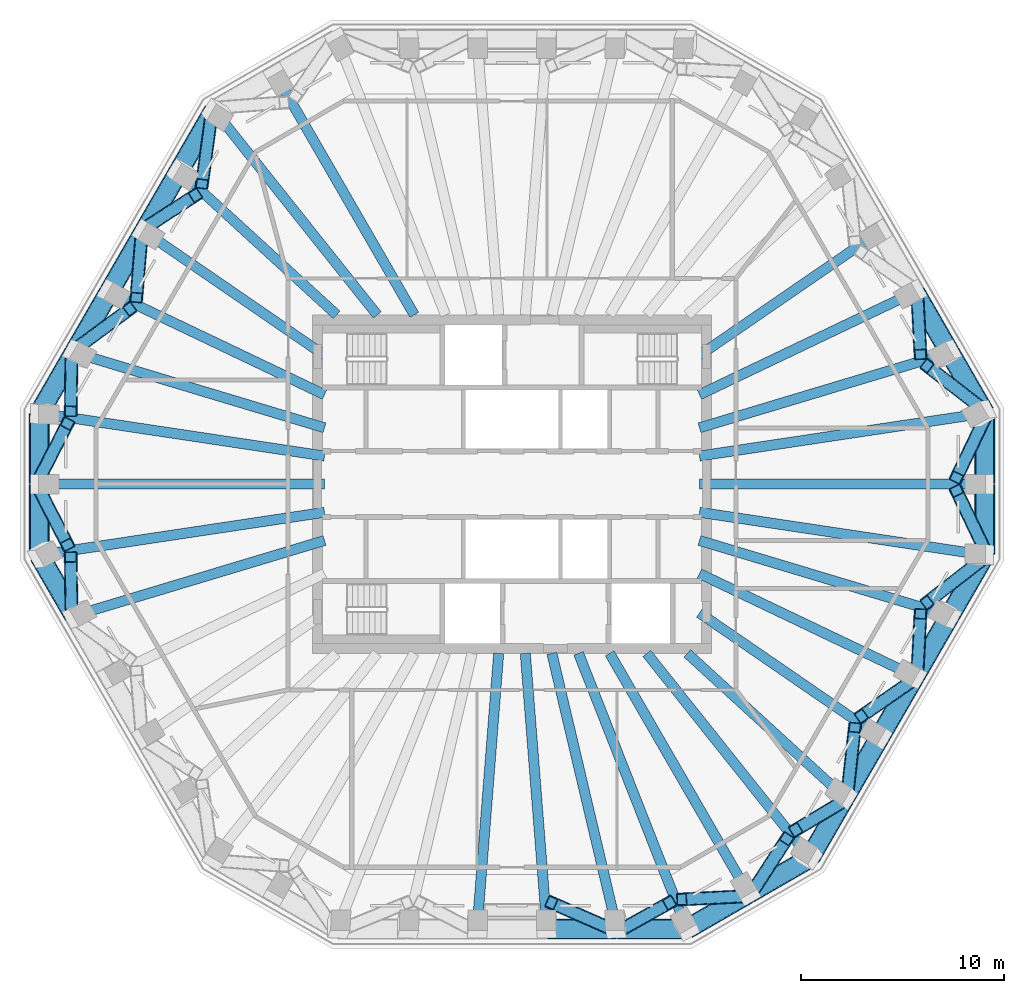
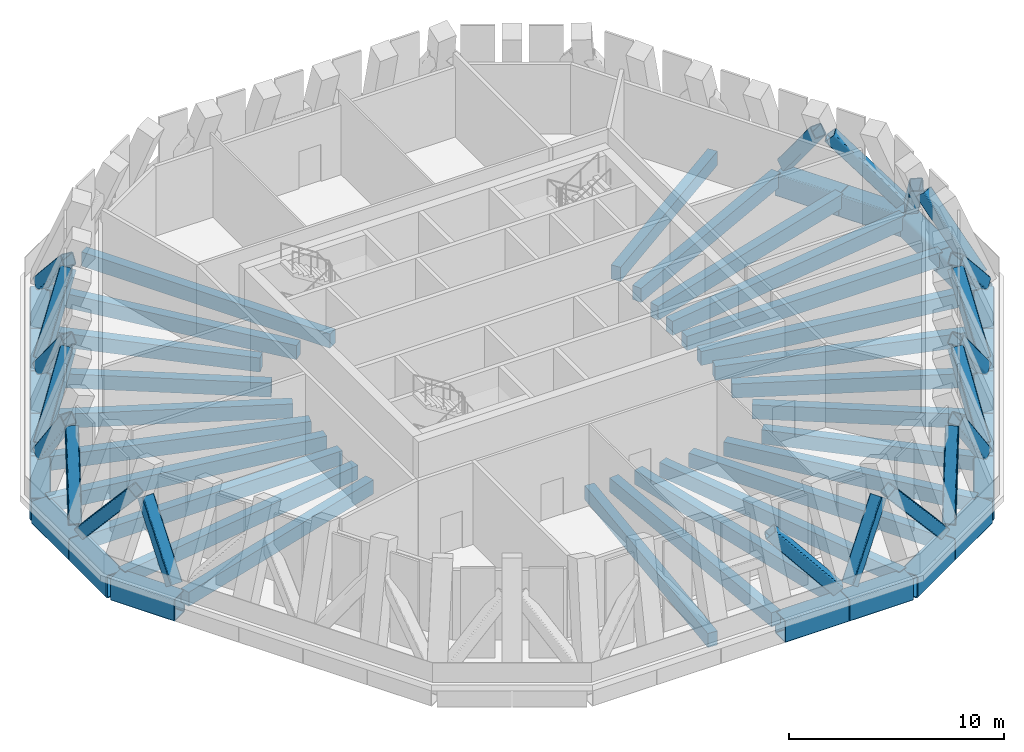
# One storey, part 2 of 9: 47 beams, 21 members.
"""IFC4 building model written with IfcOpenShell, lengths in metres."""

from ifc_helpers import new_model, si_unit, direction, frame, origin, origin_2d, place, context, subcontext, project, spatial, rectangle, hollow_rectangle, extrude, material, material_profile, profile_set, type_object, element, save


model = new_model("IFC4")

# Units and contexts
model_context = context("Model", 3, precision=1e-05, world=origin(), true_north=direction((0.0, 1.0)))
body_context = subcontext(model_context, "Body", "Model", "MODEL_VIEW")
ifc_project = project(units=[si_unit("LENGTHUNIT", "METRE"), si_unit("AREAUNIT", "SQUARE_METRE"), si_unit("VOLUMEUNIT", "CUBIC_METRE"), si_unit("PLANEANGLEUNIT", "RADIAN"), si_unit("MASSUNIT", "GRAM", prefix="KILO")], contexts=[model_context])

# Site, building, storey
site_placement = place(None, origin())
site = spatial("IfcSite", under=ifc_project, at=site_placement, CompositionType="ELEMENT")
building_placement = place(site_placement, origin())
building = spatial("IfcBuilding", under=site, at=building_placement, Name="Frailejon Research Tower", CompositionType="ELEMENT")
storey_placement = place(building_placement, frame((0.0, 0.0, 303.0)))
storey = spatial("IfcBuildingStorey", under=building, at=storey_placement, Name="L67", CompositionType="ELEMENT", Elevation=303.0)

# Beams
ifc_material_1 = material(Name="Steel S355", Category="steel")
ifc_material_profile_1 = material_profile(ifc_material_1, hollow_rectangle(XDim=1.0, YDim=1.300048828125, WallThickness=0.06005859375, InnerFilletRadius=0.06005859375, OuterFilletRadius=0.1201171875, at=origin_2d()), Name="Belt chord")
ifc_profile_set_1 = profile_set([ifc_material_profile_1], Name="Steel S355")
beam_type_1 = type_object("IfcBeamType", Name="Belt chord", PredefinedType="BEAM", material=ifc_profile_set_1)
for number, where, z_axis, x_axis, name in (
    (1, (23.32373046875, -3.48193359375, -1.0), (0.0, 1.0, 0.0), (-1.0, 0.0, 0.0), "Belt chord"),
    (2, (23.32373046875, 0.02001953125, -1.0), (0.0, 1.0, 0.0), (-1.0, 0.0, 0.0), "Belt chord"),
):
    element("IfcBeam", number, at=place(storey_placement, frame(where, z_axis=z_axis, x_axis=x_axis)), inside=storey, type_object=beam_type_1, Name=name, PredefinedType="BEAM", context=body_context, shape_type="SweptSolid", body=[
        extrude(hollow_rectangle(XDim=1.0, YDim=1.300048828125, WallThickness=0.06005859375, InnerFilletRadius=0.06005859375, OuterFilletRadius=0.1201171875, at=origin_2d()), origin(), (0.0, 0.0, 1.0), 3.4619140625),
    ])
for number, where, z_axis, x_axis, name in (
    (3, (23.313720703125, 3.519287109375, -1.0), (-0.499995010897, 0.866028284225, 0.0), (-0.866028284225, -0.499995010897, 0.0), "Belt chord"),
    (4, (21.587890625, 6.508544921875, -1.0), (-0.499995010897, 0.866028284225, 0.0), (-0.866028284225, -0.499995010897, 0.0), "Belt chord"),
    (5, (-14.70458984375, 18.4306640625, -1.0), (-0.499995010897, -0.866028284225, 0.0), (0.866028284225, -0.499995010897, 0.0), "Belt chord"),
    (6, (-16.430419921875, 15.44140625, -1.0), (-0.499995010897, -0.866028284225, 0.0), (0.866028284225, -0.499995010897, 0.0), "Belt chord"),
):
    element("IfcBeam", number, at=place(storey_placement, frame(where, z_axis=z_axis, x_axis=x_axis)), inside=storey, type_object=beam_type_1, Name=name, PredefinedType="BEAM", context=body_context, shape_type="SweptSolid", body=[
        extrude(hollow_rectangle(XDim=1.0, YDim=1.300048828125, WallThickness=0.06005859375, InnerFilletRadius=0.06005859375, OuterFilletRadius=0.1201171875, at=origin_2d()), origin(), (0.0, 0.0, 1.0), 3.41162109375),
    ])
beam_1_placement = place(storey_placement, frame((-18.15625, 12.452392578125, -1.0), z_axis=(-0.500048678942, -0.86599729716, 0.0), x_axis=(0.86599729716, -0.500048678942, 0.0)))
element("IfcBeam", 7, at=beam_1_placement, inside=storey, type_object=beam_type_1, Name="Belt chord", PredefinedType="BEAM", context=body_context, shape_type="SweptSolid", body=[
    extrude(hollow_rectangle(XDim=1.0, YDim=1.300048828125, WallThickness=0.06005859375, InnerFilletRadius=0.06005859375, OuterFilletRadius=0.1201171875, at=origin_2d()), origin(), (0.0, 0.0, 1.0), 3.411865234375),
])
for number, where, z_axis, x_axis, name in (
    (8, (-19.882080078125, 9.463134765625, -1.0), (-0.499995010897, -0.866028284225, 0.0), (0.866028284225, -0.499995010897, 0.0), "Belt chord"),
    (9, (-21.60791015625, 6.473876953125, -1.0), (-0.499995010897, -0.866028284225, 0.0), (0.866028284225, -0.499995010897, 0.0), "Belt chord"),
):
    element("IfcBeam", number, at=place(storey_placement, frame(where, z_axis=z_axis, x_axis=x_axis)), inside=storey, type_object=beam_type_1, Name=name, PredefinedType="BEAM", context=body_context, shape_type="SweptSolid", body=[
        extrude(hollow_rectangle(XDim=1.0, YDim=1.300048828125, WallThickness=0.06005859375, InnerFilletRadius=0.06005859375, OuterFilletRadius=0.1201171875, at=origin_2d()), origin(), (0.0, 0.0, 1.0), 3.41162109375),
    ])
for number, where, z_axis, x_axis, name in (
    (10, (-23.32373046875, 3.48193359375, -1.0), (0.0, -1.0, 0.0), (1.0, 0.0, 0.0), "Belt chord"),
    (11, (-23.32373046875, -0.02001953125, -1.0), (0.0, -1.0, 0.0), (1.0, 0.0, 0.0), "Belt chord"),
):
    element("IfcBeam", number, at=place(storey_placement, frame(where, z_axis=z_axis, x_axis=x_axis)), inside=storey, type_object=beam_type_1, Name=name, PredefinedType="BEAM", context=body_context, shape_type="SweptSolid", body=[
        extrude(hollow_rectangle(XDim=1.0, YDim=1.300048828125, WallThickness=0.06005859375, InnerFilletRadius=0.06005859375, OuterFilletRadius=0.1201171875, at=origin_2d()), origin(), (0.0, 0.0, 1.0), 3.4619140625),
    ])
for number, where, z_axis, x_axis, name in (
    (12, (-23.313720703125, -3.519287109375, -1.0), (0.499995010897, -0.866028284225, 0.0), (0.866028284225, 0.499995010897, 0.0), "Belt chord"),
    (13, (1.745849609375, -21.949951171875, -1.0), (1.0, 0.0, 0.0), (0.0, 1.0, 0.0), "Belt chord"),
    (14, (5.197509765625, -21.949951171875, -1.0), (1.0, 0.0, 0.0), (0.0, 1.0, 0.0), "Belt chord"),
):
    element("IfcBeam", number, at=place(storey_placement, frame(where, z_axis=z_axis, x_axis=x_axis)), inside=storey, type_object=beam_type_1, Name=name, PredefinedType="BEAM", context=body_context, shape_type="SweptSolid", body=[
        extrude(hollow_rectangle(XDim=1.0, YDim=1.300048828125, WallThickness=0.06005859375, InnerFilletRadius=0.06005859375, OuterFilletRadius=0.1201171875, at=origin_2d()), origin(), (0.0, 0.0, 1.0), 3.41162109375),
    ])
beam_2_placement = place(storey_placement, frame((8.646484375, -21.93994140625, -1.0), z_axis=(0.866021168401, 0.500007335828, 0.0), x_axis=(-0.500007335828, 0.866021168401, 0.0)))
element("IfcBeam", 15, at=beam_2_placement, inside=storey, type_object=beam_type_1, Name="Belt chord", PredefinedType="BEAM", context=body_context, shape_type="SweptSolid", body=[
    extrude(hollow_rectangle(XDim=1.0, YDim=1.300048828125, WallThickness=0.06005859375, InnerFilletRadius=0.06005859375, OuterFilletRadius=0.1201171875, at=origin_2d()), origin(), (0.0, 0.0, 1.0), 3.4619140625),
])
beam_3_placement = place(storey_placement, frame((11.67919921875, -20.18896484375, -1.0), z_axis=(0.866038798027, 0.499976799773, 0.0), x_axis=(-0.499976799773, 0.866038798027, 0.0)))
element("IfcBeam", 16, at=beam_3_placement, inside=storey, type_object=beam_type_1, Name="Belt chord", PredefinedType="BEAM", context=body_context, shape_type="SweptSolid", body=[
    extrude(hollow_rectangle(XDim=1.0, YDim=1.300048828125, WallThickness=0.06005859375, InnerFilletRadius=0.06005859375, OuterFilletRadius=0.1201171875, at=origin_2d()), origin(), (0.0, 0.0, 1.0), 3.462158203125),
])
for number, where, z_axis, x_axis, name in (
    (17, (14.70458984375, -18.4306640625, -1.0), (0.499995010897, 0.866028284225, 0.0), (-0.866028284225, 0.499995010897, 0.0), "Belt chord"),
    (18, (16.430419921875, -15.44140625, -1.0), (0.499995010897, 0.866028284225, 0.0), (-0.866028284225, 0.499995010897, 0.0), "Belt chord"),
):
    element("IfcBeam", number, at=place(storey_placement, frame(where, z_axis=z_axis, x_axis=x_axis)), inside=storey, type_object=beam_type_1, Name=name, PredefinedType="BEAM", context=body_context, shape_type="SweptSolid", body=[
        extrude(hollow_rectangle(XDim=1.0, YDim=1.300048828125, WallThickness=0.06005859375, InnerFilletRadius=0.06005859375, OuterFilletRadius=0.1201171875, at=origin_2d()), origin(), (0.0, 0.0, 1.0), 3.41162109375),
    ])
beam_4_placement = place(storey_placement, frame((18.15625, -12.452392578125, -1.0), z_axis=(0.500048678942, 0.86599729716, 0.0), x_axis=(-0.86599729716, 0.500048678942, 0.0)))
element("IfcBeam", 19, at=beam_4_placement, inside=storey, type_object=beam_type_1, Name="Belt chord", PredefinedType="BEAM", context=body_context, shape_type="SweptSolid", body=[
    extrude(hollow_rectangle(XDim=1.0, YDim=1.300048828125, WallThickness=0.06005859375, InnerFilletRadius=0.06005859375, OuterFilletRadius=0.1201171875, at=origin_2d()), origin(), (0.0, 0.0, 1.0), 3.411865234375),
])
for number, where, z_axis, x_axis, name in (
    (20, (19.882080078125, -9.463134765625, -1.0), (0.499995010897, 0.866028284225, 0.0), (-0.866028284225, 0.499995010897, 0.0), "Belt chord"),
    (21, (21.60791015625, -6.473876953125, -1.0), (0.499995010897, 0.866028284225, 0.0), (-0.866028284225, 0.499995010897, 0.0), "Belt chord"),
):
    element("IfcBeam", number, at=place(storey_placement, frame(where, z_axis=z_axis, x_axis=x_axis)), inside=storey, type_object=beam_type_1, Name=name, PredefinedType="BEAM", context=body_context, shape_type="SweptSolid", body=[
        extrude(hollow_rectangle(XDim=1.0, YDim=1.300048828125, WallThickness=0.06005859375, InnerFilletRadius=0.06005859375, OuterFilletRadius=0.1201171875, at=origin_2d()), origin(), (0.0, 0.0, 1.0), 3.41162109375),
    ])

# Members
ifc_material_2 = material(Name="Steel S355", Category="steel")
ifc_material_profile_2 = material_profile(ifc_material_2, hollow_rectangle(XDim=0.64990234375, YDim=0.64990234375, WallThickness=0.044921875, InnerFilletRadius=0.044921875, OuterFilletRadius=0.090087890625, at=origin_2d()), Name="Belt diagonal 5600")
ifc_profile_set_2 = profile_set([ifc_material_profile_2], Name="Steel S355")
member_type = type_object("IfcMemberType", Name="Belt diagonal 5600", PredefinedType="BRACE", material=ifc_profile_set_2)
for number, where, z_axis, x_axis, name in (
    (22, (23.294677734375, -3.173095703125, 0.07421875), (-0.290366904564, 0.606195473987, 0.740414821605), (-0.901875017805, -0.431997051217, 0.0), "Belt truss diagonal"),
    (23, (21.930419921875, 0.324951171875, 3.552978515625), (0.290366904564, 0.606195473987, -0.740414821605), (-0.901875017805, 0.431997051217, 0.0), "Belt truss diagonal"),
):
    element("IfcMember", number, at=place(storey_placement, frame(where, z_axis=z_axis, x_axis=x_axis)), inside=storey, type_object=member_type, Name=name, PredefinedType="BRACE", context=body_context, shape_type="SweptSolid", body=[
        extrude(hollow_rectangle(XDim=0.64990234375, YDim=0.64990234375, WallThickness=0.044921875, InnerFilletRadius=0.044921875, OuterFilletRadius=0.090087890625, at=origin_2d()), origin(), (0.0, 0.0, 1.0), 4.698486328125),
    ])
member_1_placement = place(storey_placement, frame((23.1279296875, 3.779052734375, 0.084716796875), z_axis=(-0.549877396512, 0.426771272208, 0.717984073656), x_axis=(-0.613124673275, -0.789986161285, 0.0)))
element("IfcMember", 24, at=member_1_placement, inside=storey, type_object=member_type, Name="Belt truss diagonal", PredefinedType="BRACE", context=body_context, shape_type="SweptSolid", body=[
    extrude(hollow_rectangle(XDim=0.64990234375, YDim=0.64990234375, WallThickness=0.044921875, InnerFilletRadius=0.044921875, OuterFilletRadius=0.090087890625, at=origin_2d()), origin(), (0.0, 0.0, 1.0), 4.822998046875),
])
member_2_placement = place(storey_placement, frame((20.15087890625, 6.400390625, 3.547607421875), z_axis=(-0.032451098982, 0.626399555309, -0.77882637557), x_axis=(-0.998660777204, -0.051736370909, 0.0)))
element("IfcMember", 25, at=member_2_placement, inside=storey, type_object=member_type, Name="Belt truss diagonal", PredefinedType="BRACE", context=body_context, shape_type="SweptSolid", body=[
    extrude(hollow_rectangle(XDim=0.64990234375, YDim=0.64990234375, WallThickness=0.044921875, InnerFilletRadius=0.044921875, OuterFilletRadius=0.090087890625, at=origin_2d()), origin(), (0.0, 0.0, 1.0), 4.4462890625),
])
member_3_placement = place(storey_placement, frame((-14.836669921875, 18.139892578125, 0.084716796875), z_axis=(-0.094655201188, -0.689616289294, 0.717962231896), x_axis=(0.990711195429, -0.13598281969, 0.0)))
element("IfcMember", 26, at=member_3_placement, inside=storey, type_object=member_type, Name="Belt truss diagonal", PredefinedType="BRACE", context=body_context, shape_type="SweptSolid", body=[
    extrude(hollow_rectangle(XDim=0.64990234375, YDim=0.64990234375, WallThickness=0.044921875, InnerFilletRadius=0.044921875, OuterFilletRadius=0.090087890625, at=origin_2d()), origin(), (0.0, 0.0, 1.0), 4.8232421875),
])
member_4_placement = place(storey_placement, frame((-15.618408203125, 14.2509765625, 3.547607421875), z_axis=(-0.526245935899, -0.341313098659, -0.778826414314), x_axis=(0.54415113745, -0.838987210637, 0.0)))
element("IfcMember", 27, at=member_4_placement, inside=storey, type_object=member_type, Name="Belt truss diagonal", PredefinedType="BRACE", context=body_context, shape_type="SweptSolid", body=[
    extrude(hollow_rectangle(XDim=0.64990234375, YDim=0.64990234375, WallThickness=0.044921875, InnerFilletRadius=0.044921875, OuterFilletRadius=0.090087890625, at=origin_2d()), origin(), (0.0, 0.0, 1.0), 4.4462890625),
])
member_5_placement = place(storey_placement, frame((-18.283203125, 12.17041015625, 0.084716796875), z_axis=(-0.054378825986, -0.649498131029, 0.758416192518), x_axis=(0.996513433753, -0.083432465804, 0.0)))
element("IfcMember", 28, at=member_5_placement, inside=storey, type_object=member_type, Name="Belt truss diagonal", PredefinedType="BRACE", context=body_context, shape_type="SweptSolid", body=[
    extrude(hollow_rectangle(XDim=0.64990234375, YDim=0.64990234375, WallThickness=0.044921875, InnerFilletRadius=0.044921875, OuterFilletRadius=0.090087890625, at=origin_2d()), origin(), (0.0, 0.0, 1.0), 4.56591796875),
])
member_6_placement = place(storey_placement, frame((-18.856689453125, 8.64208984375, 3.547607421875), z_axis=(-0.54310846785, -0.400319387101, -0.738090496118), x_axis=(0.593327942507, -0.804960839197, 0.0)))
element("IfcMember", 29, at=member_6_placement, inside=storey, type_object=member_type, Name="Belt truss diagonal", PredefinedType="BRACE", context=body_context, shape_type="SweptSolid", body=[
    extrude(hollow_rectangle(XDim=0.64990234375, YDim=0.64990234375, WallThickness=0.044921875, InnerFilletRadius=0.044921875, OuterFilletRadius=0.090087890625, at=origin_2d()), origin(), (0.0, 0.0, 1.0), 4.691650390625),
])
member_7_placement = place(storey_placement, frame((-21.729736328125, 6.20068359375, 0.084716796875), z_axis=(-0.00929609712, -0.601091273765, 0.799126312408), x_axis=(0.99988043266, -0.015463517798, 0.0)))
element("IfcMember", 30, at=member_7_placement, inside=storey, type_object=member_type, Name="Belt truss diagonal", PredefinedType="BRACE", context=body_context, shape_type="SweptSolid", body=[
    extrude(hollow_rectangle(XDim=0.64990234375, YDim=0.64990234375, WallThickness=0.044921875, InnerFilletRadius=0.044921875, OuterFilletRadius=0.090087890625, at=origin_2d()), origin(), (0.0, 0.0, 1.0), 4.333251953125),
])
for number, where, z_axis, x_axis, name in (
    (31, (-21.930419921875, 2.9892578125, 3.552978515625), (-0.297270499619, -0.580549921679, -0.758018494823), (0.890095825197, -0.455773432713, 0.0), "Belt truss diagonal"),
    (32, (-23.294677734375, -0.324951171875, 0.07421875), (0.297270499619, -0.580549921679, 0.758018494823), (0.890095825197, 0.455773432713, 0.0), "Belt truss diagonal"),
):
    element("IfcMember", number, at=place(storey_placement, frame(where, z_axis=z_axis, x_axis=x_axis)), inside=storey, type_object=member_type, Name=name, PredefinedType="BRACE", context=body_context, shape_type="SweptSolid", body=[
        extrude(hollow_rectangle(XDim=0.64990234375, YDim=0.64990234375, WallThickness=0.044921875, InnerFilletRadius=0.044921875, OuterFilletRadius=0.090087890625, at=origin_2d()), origin(), (0.0, 0.0, 1.0), 4.58935546875),
    ])
member_8_placement = place(storey_placement, frame((-21.77001953125, -3.595947265625, 3.547607421875), z_axis=(0.00929609712, -0.601091273765, -0.799126312408), x_axis=(0.99988043266, 0.015463517798, 0.0)))
element("IfcMember", 33, at=member_8_placement, inside=storey, type_object=member_type, Name="Belt truss diagonal", PredefinedType="BRACE", context=body_context, shape_type="SweptSolid", body=[
    extrude(hollow_rectangle(XDim=0.64990234375, YDim=0.64990234375, WallThickness=0.044921875, InnerFilletRadius=0.044921875, OuterFilletRadius=0.090087890625, at=origin_2d()), origin(), (0.0, 0.0, 1.0), 4.333251953125),
])
member_9_placement = place(storey_placement, frame((1.944091796875, -20.6513671875, 3.547607421875), z_axis=(0.618280293058, -0.270165904861, -0.73806494502), x_axis=(0.400406139077, 0.916337778218, 0.0)))
element("IfcMember", 34, at=member_9_placement, inside=storey, type_object=member_type, Name="Belt truss diagonal", PredefinedType="BRACE", context=body_context, shape_type="SweptSolid", body=[
    extrude(hollow_rectangle(XDim=0.64990234375, YDim=0.64990234375, WallThickness=0.044921875, InnerFilletRadius=0.044921875, OuterFilletRadius=0.090087890625, at=origin_2d()), origin(), (0.0, 0.0, 1.0), 4.69189453125),
])
member_10_placement = place(storey_placement, frame((5.494873046875, -21.9189453125, 0.084716796875), z_axis=(0.525199848577, 0.292516371359, 0.799124077689), x_axis=(-0.486581594932, 0.873635136355, 0.0)))
element("IfcMember", 35, at=member_10_placement, inside=storey, type_object=member_type, Name="Belt truss diagonal", PredefinedType="BRACE", context=body_context, shape_type="SweptSolid", body=[
    extrude(hollow_rectangle(XDim=0.64990234375, YDim=0.64990234375, WallThickness=0.044921875, InnerFilletRadius=0.044921875, OuterFilletRadius=0.090087890625, at=origin_2d()), origin(), (0.0, 0.0, 1.0), 4.333251953125),
])
member_11_placement = place(storey_placement, frame((8.37646484375, -20.48681640625, 3.552978515625), z_axis=(0.651408384331, 0.03282310928, -0.758016992105), x_axis=(-0.050324068991, 0.998732941321, 0.0)))
element("IfcMember", 36, at=member_11_placement, inside=storey, type_object=member_type, Name="Belt truss diagonal", PredefinedType="BRACE", context=body_context, shape_type="SweptSolid", body=[
    extrude(hollow_rectangle(XDim=0.64990234375, YDim=0.64990234375, WallThickness=0.044921875, InnerFilletRadius=0.044921875, OuterFilletRadius=0.090087890625, at=origin_2d()), origin(), (0.0, 0.0, 1.0), 4.58935546875),
])
member_12_placement = place(storey_placement, frame((11.9287109375, -20.01123046875, 0.074462890625), z_axis=(0.35415147652, 0.547745771707, 0.757991623473), x_axis=(-0.839760482819, 0.542957025459, 0.0)))
element("IfcMember", 37, at=member_12_placement, inside=storey, type_object=member_type, Name="Belt truss diagonal", PredefinedType="BRACE", context=body_context, shape_type="SweptSolid", body=[
    extrude(hollow_rectangle(XDim=0.64990234375, YDim=0.64990234375, WallThickness=0.044921875, InnerFilletRadius=0.044921875, OuterFilletRadius=0.090087890625, at=origin_2d()), origin(), (0.0, 0.0, 1.0), 4.589111328125),
])
member_13_placement = place(storey_placement, frame((13.999267578125, -17.055419921875, 3.547607421875), z_axis=(0.515901660908, 0.308628295124, -0.799120799205), x_axis=(-0.513378990534, 0.858161996408, 0.0)))
element("IfcMember", 38, at=member_13_placement, inside=storey, type_object=member_type, Name="Belt truss diagonal", PredefinedType="BRACE", context=body_context, shape_type="SweptSolid", body=[
    extrude(hollow_rectangle(XDim=0.64990234375, YDim=0.64990234375, WallThickness=0.044921875, InnerFilletRadius=0.044921875, OuterFilletRadius=0.090087890625, at=origin_2d()), origin(), (0.0, 0.0, 1.0), 4.33349609375),
])
member_14_placement = place(storey_placement, frame((16.559814453125, -15.1552734375, 0.084716796875), z_axis=(0.07519342983, 0.67049643139, 0.738092462774), x_axis=(-0.99377034804, 0.111447276129, 0.0)))
element("IfcMember", 39, at=member_14_placement, inside=storey, type_object=member_type, Name="Belt truss diagonal", PredefinedType="BRACE", context=body_context, shape_type="SweptSolid", body=[
    extrude(hollow_rectangle(XDim=0.64990234375, YDim=0.64990234375, WallThickness=0.044921875, InnerFilletRadius=0.044921875, OuterFilletRadius=0.090087890625, at=origin_2d()), origin(), (0.0, 0.0, 1.0), 4.691650390625),
])
member_15_placement = place(storey_placement, frame((17.237548828125, -11.4462890625, 3.547607421875), z_axis=(0.535252736614, 0.371842910131, -0.758444037575), x_axis=(-0.57054032955, 0.821269585676, 0.0)))
element("IfcMember", 40, at=member_15_placement, inside=storey, type_object=member_type, Name="Belt truss diagonal", PredefinedType="BRACE", context=body_context, shape_type="SweptSolid", body=[
    extrude(hollow_rectangle(XDim=0.64990234375, YDim=0.64990234375, WallThickness=0.044921875, InnerFilletRadius=0.044921875, OuterFilletRadius=0.090087890625, at=origin_2d()), origin(), (0.0, 0.0, 1.0), 4.565673828125),
])
member_16_placement = place(storey_placement, frame((20.006591796875, -9.185546875, 0.084716796875), z_axis=(0.032451098982, 0.626399555309, 0.77882637557), x_axis=(-0.998660777204, 0.051736370909, 0.0)))
element("IfcMember", 41, at=member_16_placement, inside=storey, type_object=member_type, Name="Belt truss diagonal", PredefinedType="BRACE", context=body_context, shape_type="SweptSolid", body=[
    extrude(hollow_rectangle(XDim=0.64990234375, YDim=0.64990234375, WallThickness=0.044921875, InnerFilletRadius=0.044921875, OuterFilletRadius=0.090087890625, at=origin_2d()), origin(), (0.0, 0.0, 1.0), 4.4462890625),
])
member_17_placement = place(storey_placement, frame((20.475830078125, -5.83740234375, 3.547607421875), z_axis=(0.549877396512, 0.426771272208, -0.717984073656), x_axis=(-0.613124673275, 0.789986161285, 0.0)))
element("IfcMember", 42, at=member_17_placement, inside=storey, type_object=member_type, Name="Belt truss diagonal", PredefinedType="BRACE", context=body_context, shape_type="SweptSolid", body=[
    extrude(hollow_rectangle(XDim=0.64990234375, YDim=0.64990234375, WallThickness=0.044921875, InnerFilletRadius=0.044921875, OuterFilletRadius=0.090087890625, at=origin_2d()), origin(), (0.0, 0.0, 1.0), 4.822998046875),
])

# Beams
ifc_material_3 = material(Name="Concrete C60/75", Category="concrete")
ifc_material_profile_3 = material_profile(ifc_material_3, rectangle(XDim=0.5, YDim=0.800048828125, at=origin_2d()), Name="Girder 500x800")
ifc_profile_set_3 = profile_set([ifc_material_profile_3], Name="Concrete C60/75")
beam_type_2 = type_object("IfcBeamType", Name="Girder 500x800", PredefinedType="BEAM", material=ifc_profile_set_3)
beam_5_placement = place(storey_placement, frame((22.9970703125, -3.452880859375, -0.699951171875), z_axis=(-0.988916247685, 0.148474425622, 0.0), x_axis=(-0.148474425622, -0.988916247685, 0.0)))
element("IfcBeam", 43, at=beam_5_placement, inside=storey, type_object=beam_type_2, Name="Girder 500x800", PredefinedType="BEAM", context=body_context, shape_type="SweptSolid", body=[
    extrude(rectangle(XDim=0.5, YDim=0.800048828125, at=origin_2d()), origin(), (0.0, 0.0, 1.0), 13.901123046875),
])
beam_6_placement = place(storey_placement, frame((22.998779296875, 0.0, -0.699951171875), z_axis=(-1.0, 0.0, 0.0), x_axis=(0.0, -1.0, 0.0)))
element("IfcBeam", 44, at=beam_6_placement, inside=storey, type_object=beam_type_2, Name="Girder 500x800", PredefinedType="BEAM", context=body_context, shape_type="SweptSolid", body=[
    extrude(rectangle(XDim=0.5, YDim=0.800048828125, at=origin_2d()), origin(), (0.0, 0.0, 1.0), 13.748779296875),
])
beam_7_placement = place(storey_placement, frame((22.96728515625, 3.448486328125, -0.699951171875), z_axis=(-0.988915428707, -0.148479880336, 0.0), x_axis=(0.148479880336, -0.988915428707, 0.0)))
element("IfcBeam", 45, at=beam_7_placement, inside=storey, type_object=beam_type_2, Name="Girder 500x800", PredefinedType="BEAM", context=body_context, shape_type="SweptSolid", body=[
    extrude(rectangle(XDim=0.5, YDim=0.800048828125, at=origin_2d()), origin(), (0.0, 0.0, 1.0), 13.87109375),
])
beam_8_placement = place(storey_placement, frame((21.2744140625, 6.393798828125, -0.699951171875), z_axis=(-0.957684883989, -0.287818802339, 0.0), x_axis=(0.287818802339, -0.957684883989, 0.0)))
element("IfcBeam", 46, at=beam_8_placement, inside=storey, type_object=beam_type_2, Name="Girder 500x800", PredefinedType="BEAM", context=body_context, shape_type="SweptSolid", body=[
    extrude(rectangle(XDim=0.5, YDim=0.800048828125, at=origin_2d()), origin(), (0.0, 0.0, 1.0), 12.5556640625),
])
beam_9_placement = place(storey_placement, frame((19.577392578125, 9.33984375, -0.699951171875), z_axis=(-0.90254832105, -0.430588583417, 0.0), x_axis=(0.430588583417, -0.90254832105, 0.0)))
element("IfcBeam", 47, at=beam_9_placement, inside=storey, type_object=beam_type_2, Name="Girder 500x800", PredefinedType="BEAM", context=body_context, shape_type="SweptSolid", body=[
    extrude(rectangle(XDim=0.5, YDim=0.800048828125, at=origin_2d()), origin(), (0.0, 0.0, 1.0), 11.4423828125),
])
beam_10_placement = place(storey_placement, frame((17.877197265625, 12.28466796875, -0.699951171875), z_axis=(-0.82416371662, -0.566351629473, 0.0), x_axis=(0.566351629473, -0.82416371662, 0.0)))
element("IfcBeam", 48, at=beam_10_placement, inside=storey, type_object=beam_type_2, Name="Girder 500x800", PredefinedType="BEAM", context=body_context, shape_type="SweptSolid", body=[
    extrude(rectangle(XDim=0.5, YDim=0.800048828125, at=origin_2d()), origin(), (0.0, 0.0, 1.0), 10.4677734375),
])
beam_11_placement = place(storey_placement, frame((-11.49951171875, 19.91748046875, -0.699951171875), z_axis=(0.500015685897, -0.866016347338, 0.0), x_axis=(0.866016347338, 0.500015685897, 0.0)))
element("IfcBeam", 49, at=beam_11_placement, inside=storey, type_object=beam_type_2, Name="Girder 500x800", PredefinedType="BEAM", context=body_context, shape_type="SweptSolid", body=[
    extrude(rectangle(XDim=0.5, YDim=0.800048828125, at=origin_2d()), origin(), (0.0, 0.0, 1.0), 13.35693359375),
])
beam_12_placement = place(storey_placement, frame((-14.47021484375, 18.166015625, -0.699951171875), z_axis=(0.623059053129, -0.782174799079, 0.0), x_axis=(0.782174799079, 0.623059053129, 0.0)))
element("IfcBeam", 50, at=beam_12_placement, inside=storey, type_object=beam_type_2, Name="Girder 500x800", PredefinedType="BEAM", context=body_context, shape_type="SweptSolid", body=[
    extrude(rectangle(XDim=0.5, YDim=0.800048828125, at=origin_2d()), origin(), (0.0, 0.0, 1.0), 12.549560546875),
])
beam_13_placement = place(storey_placement, frame((-16.17236328125, 15.231689453125, -0.699951171875), z_axis=(0.737837636793, -0.674978237969, 0.0), x_axis=(0.674978237969, 0.737837636793, 0.0)))
element("IfcBeam", 51, at=beam_13_placement, inside=storey, type_object=beam_type_2, Name="Girder 500x800", PredefinedType="BEAM", context=body_context, shape_type="SweptSolid", body=[
    extrude(rectangle(XDim=0.5, YDim=0.800048828125, at=origin_2d()), origin(), (0.0, 0.0, 1.0), 10.1953125),
])
beam_14_placement = place(storey_placement, frame((-17.877197265625, 12.28466796875, -0.699951171875), z_axis=(0.82416371662, -0.566351629473, 0.0), x_axis=(0.566351629473, 0.82416371662, 0.0)))
element("IfcBeam", 52, at=beam_14_placement, inside=storey, type_object=beam_type_2, Name="Girder 500x800", PredefinedType="BEAM", context=body_context, shape_type="SweptSolid", body=[
    extrude(rectangle(XDim=0.5, YDim=0.800048828125, at=origin_2d()), origin(), (0.0, 0.0, 1.0), 10.4677734375),
])
beam_15_placement = place(storey_placement, frame((-19.577392578125, 9.33984375, -0.699951171875), z_axis=(0.90254832105, -0.430588583417, 0.0), x_axis=(0.430588583417, 0.90254832105, 0.0)))
element("IfcBeam", 53, at=beam_15_placement, inside=storey, type_object=beam_type_2, Name="Girder 500x800", PredefinedType="BEAM", context=body_context, shape_type="SweptSolid", body=[
    extrude(rectangle(XDim=0.5, YDim=0.800048828125, at=origin_2d()), origin(), (0.0, 0.0, 1.0), 11.4423828125),
])
beam_16_placement = place(storey_placement, frame((-21.2744140625, 6.393798828125, -0.699951171875), z_axis=(0.957684883989, -0.287818802339, 0.0), x_axis=(0.287818802339, 0.957684883989, 0.0)))
element("IfcBeam", 54, at=beam_16_placement, inside=storey, type_object=beam_type_2, Name="Girder 500x800", PredefinedType="BEAM", context=body_context, shape_type="SweptSolid", body=[
    extrude(rectangle(XDim=0.5, YDim=0.800048828125, at=origin_2d()), origin(), (0.0, 0.0, 1.0), 12.5556640625),
])
beam_17_placement = place(storey_placement, frame((-22.9970703125, 3.452880859375, -0.699951171875), z_axis=(0.988916247685, -0.148474425622, 0.0), x_axis=(0.148474425622, 0.988916247685, 0.0)))
element("IfcBeam", 55, at=beam_17_placement, inside=storey, type_object=beam_type_2, Name="Girder 500x800", PredefinedType="BEAM", context=body_context, shape_type="SweptSolid", body=[
    extrude(rectangle(XDim=0.5, YDim=0.800048828125, at=origin_2d()), origin(), (0.0, 0.0, 1.0), 13.901123046875),
])
beam_18_placement = place(storey_placement, frame((-22.998779296875, 0.0, -0.699951171875), z_axis=(1.0, 0.0, 0.0), x_axis=(0.0, 1.0, 0.0)))
element("IfcBeam", 56, at=beam_18_placement, inside=storey, type_object=beam_type_2, Name="Girder 500x800", PredefinedType="BEAM", context=body_context, shape_type="SweptSolid", body=[
    extrude(rectangle(XDim=0.5, YDim=0.800048828125, at=origin_2d()), origin(), (0.0, 0.0, 1.0), 13.748779296875),
])
beam_19_placement = place(storey_placement, frame((-22.96728515625, -3.448486328125, -0.699951171875), z_axis=(0.988915428707, 0.148479880336, 0.0), x_axis=(-0.148479880336, 0.988915428707, 0.0)))
element("IfcBeam", 57, at=beam_19_placement, inside=storey, type_object=beam_type_2, Name="Girder 500x800", PredefinedType="BEAM", context=body_context, shape_type="SweptSolid", body=[
    extrude(rectangle(XDim=0.5, YDim=0.800048828125, at=origin_2d()), origin(), (0.0, 0.0, 1.0), 13.87109375),
])
beam_20_placement = place(storey_placement, frame((-21.2744140625, -6.393798828125, -0.699951171875), z_axis=(0.957684883989, 0.287818802339, 0.0), x_axis=(-0.287818802339, 0.957684883989, 0.0)))
element("IfcBeam", 58, at=beam_20_placement, inside=storey, type_object=beam_type_2, Name="Girder 500x800", PredefinedType="BEAM", context=body_context, shape_type="SweptSolid", body=[
    extrude(rectangle(XDim=0.5, YDim=0.800048828125, at=origin_2d()), origin(), (0.0, 0.0, 1.0), 12.5556640625),
])
for number, where, z_axis, x_axis, name in (
    (59, (-1.7001953125, -21.62451171875, -0.699951171875), (0.078383122753, 0.996923310023, 0.0), (-0.996923310023, 0.078383122753, 0.0), "Girder 500x800"),
    (60, (1.7001953125, -21.62451171875, -0.699951171875), (-0.078383122753, 0.996923310023, 0.0), (-0.996923310023, -0.078383122753, 0.0), "Girder 500x800"),
):
    element("IfcBeam", number, at=place(storey_placement, frame(where, z_axis=z_axis, x_axis=x_axis)), inside=storey, type_object=beam_type_2, Name=name, PredefinedType="BEAM", context=body_context, shape_type="SweptSolid", body=[
        extrude(rectangle(XDim=0.5, YDim=0.800048828125, at=origin_2d()), origin(), (0.0, 0.0, 1.0), 13.3154296875),
    ])
beam_21_placement = place(storey_placement, frame((5.099853515625, -21.62109375, -0.699951171875), z_axis=(-0.229580210899, 0.973289744507, 0.0), x_axis=(-0.973289744507, -0.229580210899, 0.0)))
element("IfcBeam", 61, at=beam_21_placement, inside=storey, type_object=beam_type_2, Name="Girder 500x800", PredefinedType="BEAM", context=body_context, shape_type="SweptSolid", body=[
    extrude(rectangle(XDim=0.5, YDim=0.800048828125, at=origin_2d()), origin(), (0.0, 0.0, 1.0), 13.63525390625),
])
beam_22_placement = place(storey_placement, frame((8.50830078125, -21.642578125, -0.699951171875), z_axis=(-0.36586707843, 0.930667116063, 0.0), x_axis=(-0.930667116063, -0.36586707843, 0.0)))
element("IfcBeam", 62, at=beam_22_placement, inside=storey, type_object=beam_type_2, Name="Girder 500x800", PredefinedType="BEAM", context=body_context, shape_type="SweptSolid", body=[
    extrude(rectangle(XDim=0.5, YDim=0.800048828125, at=origin_2d()), origin(), (0.0, 0.0, 1.0), 14.28271484375),
])
beam_23_placement = place(storey_placement, frame((11.49951171875, -19.91748046875, -0.699951171875), z_axis=(-0.500015685897, 0.866016347338, 0.0), x_axis=(-0.866016347338, -0.500015685897, 0.0)))
element("IfcBeam", 63, at=beam_23_placement, inside=storey, type_object=beam_type_2, Name="Girder 500x800", PredefinedType="BEAM", context=body_context, shape_type="SweptSolid", body=[
    extrude(rectangle(XDim=0.5, YDim=0.800048828125, at=origin_2d()), origin(), (0.0, 0.0, 1.0), 13.35693359375),
])
beam_24_placement = place(storey_placement, frame((14.47021484375, -18.166015625, -0.699951171875), z_axis=(-0.623059053129, 0.782174799079, 0.0), x_axis=(-0.782174799079, -0.623059053129, 0.0)))
element("IfcBeam", 64, at=beam_24_placement, inside=storey, type_object=beam_type_2, Name="Girder 500x800", PredefinedType="BEAM", context=body_context, shape_type="SweptSolid", body=[
    extrude(rectangle(XDim=0.5, YDim=0.800048828125, at=origin_2d()), origin(), (0.0, 0.0, 1.0), 12.549560546875),
])
beam_25_placement = place(storey_placement, frame((16.17236328125, -15.231689453125, -0.699951171875), z_axis=(-0.737837636793, 0.674978237969, 0.0), x_axis=(-0.674978237969, -0.737837636793, 0.0)))
element("IfcBeam", 65, at=beam_25_placement, inside=storey, type_object=beam_type_2, Name="Girder 500x800", PredefinedType="BEAM", context=body_context, shape_type="SweptSolid", body=[
    extrude(rectangle(XDim=0.5, YDim=0.800048828125, at=origin_2d()), origin(), (0.0, 0.0, 1.0), 10.1953125),
])
beam_26_placement = place(storey_placement, frame((17.877197265625, -12.28466796875, -0.699951171875), z_axis=(-0.82416371662, 0.566351629473, 0.0), x_axis=(-0.566351629473, -0.82416371662, 0.0)))
element("IfcBeam", 66, at=beam_26_placement, inside=storey, type_object=beam_type_2, Name="Girder 500x800", PredefinedType="BEAM", context=body_context, shape_type="SweptSolid", body=[
    extrude(rectangle(XDim=0.5, YDim=0.800048828125, at=origin_2d()), origin(), (0.0, 0.0, 1.0), 10.4677734375),
])
beam_27_placement = place(storey_placement, frame((19.577392578125, -9.33984375, -0.699951171875), z_axis=(-0.90254832105, 0.430588583417, 0.0), x_axis=(-0.430588583417, -0.90254832105, 0.0)))
element("IfcBeam", 67, at=beam_27_placement, inside=storey, type_object=beam_type_2, Name="Girder 500x800", PredefinedType="BEAM", context=body_context, shape_type="SweptSolid", body=[
    extrude(rectangle(XDim=0.5, YDim=0.800048828125, at=origin_2d()), origin(), (0.0, 0.0, 1.0), 11.4423828125),
])
beam_28_placement = place(storey_placement, frame((21.2744140625, -6.393798828125, -0.699951171875), z_axis=(-0.957684883989, 0.287818802339, 0.0), x_axis=(-0.287818802339, -0.957684883989, 0.0)))
element("IfcBeam", 68, at=beam_28_placement, inside=storey, type_object=beam_type_2, Name="Girder 500x800", PredefinedType="BEAM", context=body_context, shape_type="SweptSolid", body=[
    extrude(rectangle(XDim=0.5, YDim=0.800048828125, at=origin_2d()), origin(), (0.0, 0.0, 1.0), 12.5556640625),
])

save(model, "model.ifc")
